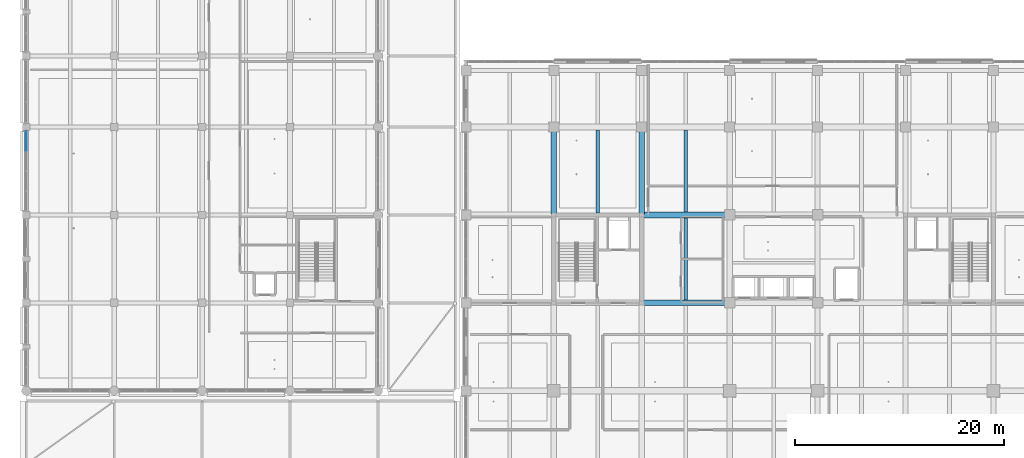
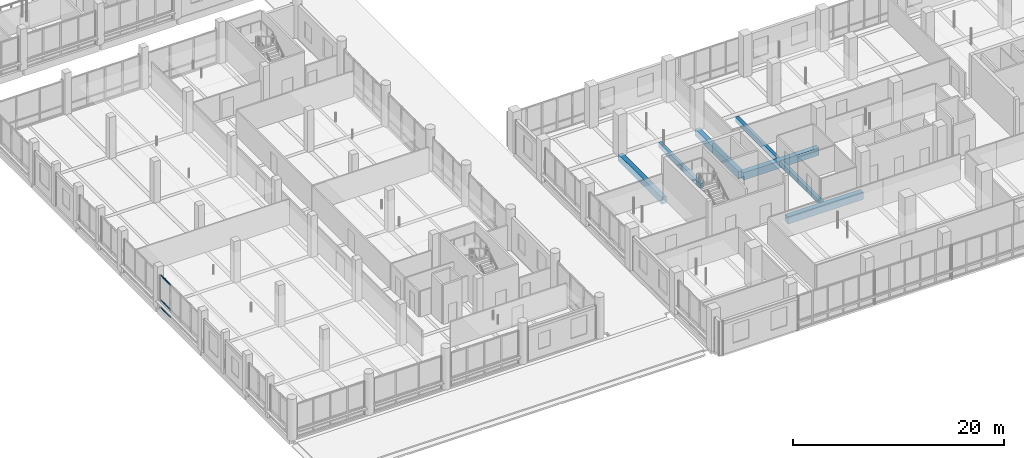
# One storey, part 11 of 128: 7 beams, 3 members, 1 element without a shape of its own.
"""IFC4 building model written with IfcOpenShell, lengths in metres."""

from ifc_helpers import new_model, si_unit, direction, frame, origin, origin_2d, place, context, subcontext, project, spatial, rectangle, extrude, material, layer, layer_set, material_profile, profile_set, type_object, element, aggregate, save


model = new_model("IFC4")

# Units and contexts
model_context = context("Model", 3, precision=1e-05, world=origin(), true_north=direction((0.0, 1.0)))
body_context = subcontext(model_context, "Body", "Model", "MODEL_VIEW")
ifc_project = project(units=[si_unit("LENGTHUNIT", "METRE"), si_unit("AREAUNIT", "SQUARE_METRE"), si_unit("VOLUMEUNIT", "CUBIC_METRE"), si_unit("PLANEANGLEUNIT", "RADIAN"), si_unit("MASSUNIT", "GRAM", prefix="KILO")], contexts=[model_context])

# Site, building, storey
site_placement = place(None, origin())
site = spatial("IfcSite", under=ifc_project, at=site_placement, CompositionType="ELEMENT")
building_placement = place(site_placement, origin())
building = spatial("IfcBuilding", under=site, at=building_placement, Name="Telukmera Botanical Conservatory", CompositionType="ELEMENT")
storey_placement = place(building_placement, frame((0.0, 0.0, 5.39990234375)))
storey = spatial("IfcBuildingStorey", under=building, at=storey_placement, Name="L01", CompositionType="ELEMENT", Elevation=5.39990234375)

# Beams
ifc_material_1 = material(Name="Concrete C40/50", Category="concrete")
ifc_material_profile_1 = material_profile(ifc_material_1, rectangle(XDim=0.35009765625, YDim=0.550048828125, at=origin_2d()), Name="RC 350x550")
ifc_profile_set_1 = profile_set([ifc_material_profile_1], Name="Concrete C40/50")
beam_type_1 = type_object("IfcBeamType", Name="Beam_B21", PredefinedType="JOIST", material=ifc_profile_set_1)
beam_1_placement = place(storey_placement, frame((63.0, 34.60009765625, -0.27490234375), z_axis=(0.0, 1.0, 0.0), x_axis=(-1.0, 0.0, 0.0)))
element("IfcBeam", 1, at=beam_1_placement, inside=storey, type_object=beam_type_1, Name="Tower Secondary Floor Joist L01", PredefinedType="JOIST", context=body_context, shape_type="SweptSolid", body=[
    extrude(rectangle(XDim=0.35009765625, YDim=0.550048828125, at=origin_2d()), origin(), (0.0, 0.0, 1.0), 7.9248046875),
])
beam_2_placement = place(storey_placement, frame((71.39990234375, 26.27490234375, -0.27490234375), z_axis=(0.0, 1.0, 0.0), x_axis=(-1.0, 0.0, 0.0)))
element("IfcBeam", 2, at=beam_2_placement, inside=storey, type_object=beam_type_1, Name="Tower Secondary Floor Joist L01", PredefinedType="JOIST", context=body_context, shape_type="SweptSolid", body=[
    extrude(rectangle(XDim=0.35009765625, YDim=0.550048828125, at=origin_2d()), origin(), (0.0, 0.0, 1.0), 7.85009765625),
])
beam_3_placement = place(storey_placement, frame((71.39990234375, 34.675048828125, -0.27490234375), z_axis=(0.0, 1.0, 0.0), x_axis=(-1.0, 0.0, 0.0)))
element("IfcBeam", 3, at=beam_3_placement, inside=storey, type_object=beam_type_1, Name="Tower Secondary Floor Joist L01", PredefinedType="JOIST", context=body_context, shape_type="SweptSolid", body=[
    extrude(rectangle(XDim=0.35009765625, YDim=0.550048828125, at=origin_2d()), origin(), (0.0, 0.0, 1.0), 7.849853515625),
])
ifc_material_profile_2 = material_profile(ifc_material_1, rectangle(XDim=0.550048828125, YDim=0.85009765625, at=origin_2d()), Name="RC 550x850")
ifc_profile_set_2 = profile_set([ifc_material_profile_2], Name="Concrete C40/50")
beam_type_2 = type_object("IfcBeamType", Name="Beam_B4", PredefinedType="BEAM", material=ifc_profile_set_2)
for number, where, z_axis, x_axis, name in (
    (4, (67.280029296875, 26.0, -0.4248046875), (1.0, 0.0, 0.0), (0.0, 1.0, 0.0), "Tower Grid Beam L01"),
    (5, (67.280029296875, 34.39990234375, -0.4248046875), (1.0, 0.0, 0.0), (0.0, 1.0, 0.0), "Tower Grid Beam L01"),
):
    element("IfcBeam", number, at=place(storey_placement, frame(where, z_axis=z_axis, x_axis=x_axis)), inside=storey, type_object=beam_type_2, Name=name, PredefinedType="BEAM", context=body_context, shape_type="SweptSolid", body=[
        extrude(rectangle(XDim=0.550048828125, YDim=0.85009765625, at=origin_2d()), origin(), (0.0, 0.0, 1.0), 8.239990234375),
    ])
ifc_material_profile_3 = material_profile(ifc_material_1, rectangle(XDim=0.5, YDim=0.800048828125, at=origin_2d()), Name="RC 500x800")
ifc_profile_set_3 = profile_set([ifc_material_profile_3], Name="Concrete C40/50")
beam_type_3 = type_object("IfcBeamType", Name="Beam_B5", PredefinedType="BEAM", material=ifc_profile_set_3)
for number, where, z_axis, x_axis, name in (
    (6, (58.800048828125, 34.47998046875, -0.39990234375), (0.0, 1.0, 0.0), (-1.0, 0.0, 0.0), "Tower Transverse Beam L01"),
    (7, (67.199951171875, 34.47998046875, -0.39990234375), (0.0, 1.0, 0.0), (-1.0, 0.0, 0.0), "Tower Transverse Beam L01"),
):
    element("IfcBeam", number, at=place(storey_placement, frame(where, z_axis=z_axis, x_axis=x_axis)), inside=storey, type_object=beam_type_3, Name=name, PredefinedType="BEAM", context=body_context, shape_type="SweptSolid", body=[
        extrude(rectangle(XDim=0.5, YDim=0.800048828125, at=origin_2d()), origin(), (0.0, 0.0, 1.0), 8.239990234375),
    ])

# Curtain wall, members
ifc_material_2 = material(Name="Anodised aluminium 6063-T6", Category="aluminium")
ifc_layer = layer(ifc_material_2, 0.179931640625)
ifc_layer_set = layer_set([ifc_layer], Name="Anodised aluminium 6063-T6")
curtain_wall_type = type_object("IfcCurtainWallType", Name="Visitor Gallery First Floor Curtain Wall 1800 Mod", PredefinedType="USERDEFINED", material=ifc_layer_set)
curtain_wall_placement = place(storey_placement, origin())
curtain_wall = element("IfcCurtainWall", 8, at=curtain_wall_placement, inside=storey, type_object=curtain_wall_type, Name="Unitised Curtain Wall CW08 V3:L01:W3", ObjectType="UNITISED CURTAIN WALL", PredefinedType="USERDEFINED")
ifc_material_profile_4 = material_profile(ifc_material_2, rectangle(XDim=0.06494140625, YDim=0.1298828125, at=origin_2d()), Name="ALU TRAN 65x130")
ifc_profile_set_4 = profile_set([ifc_material_profile_4], Name="Anodised aluminium 6063-T6")
member_type = type_object("IfcMemberType", Name="Curtain Wall Extruded Transom 65x130", PredefinedType="USERDEFINED", material=ifc_profile_set_4)
member_1_placement = place(storey_placement, frame((8.39990234375, 40.556396484375, 0.065185546875), z_axis=(0.0, 1.0, 0.0), x_axis=(-1.0, 0.0, 0.0)))
member_1 = element("IfcMember", 9, at=member_1_placement, type_object=member_type, Name="CW08 transom 4.1", ObjectType="TRANSOM", PredefinedType="USERDEFINED", context=body_context, shape_type="SweptSolid", body=[
    extrude(rectangle(XDim=0.06494140625, YDim=0.1298828125, at=origin_2d()), origin(), (0.0, 0.0, 1.0), 1.82666015625),
])
member_2_placement = place(storey_placement, frame((8.39990234375, 40.556396484375, 0.9501953125), z_axis=(0.0, 1.0, 0.0), x_axis=(-1.0, 0.0, 0.0)))
member_2 = element("IfcMember", 10, at=member_2_placement, type_object=member_type, Name="CW08 transom 4.2", ObjectType="TRANSOM", PredefinedType="USERDEFINED", context=body_context, shape_type="SweptSolid", body=[
    extrude(rectangle(XDim=0.06494140625, YDim=0.1298828125, at=origin_2d()), origin(), (0.0, 0.0, 1.0), 1.82666015625),
])
member_3_placement = place(storey_placement, frame((8.39990234375, 40.556396484375, 3.78515625), z_axis=(0.0, 1.0, 0.0), x_axis=(-1.0, 0.0, 0.0)))
member_3 = element("IfcMember", 11, at=member_3_placement, type_object=member_type, Name="CW08 transom 4.3", ObjectType="TRANSOM", PredefinedType="USERDEFINED", context=body_context, shape_type="SweptSolid", body=[
    extrude(rectangle(XDim=0.06494140625, YDim=0.1298828125, at=origin_2d()), origin(), (0.0, 0.0, 1.0), 1.82666015625),
])
aggregate(curtain_wall, [member_1, member_2, member_3])

save(model, "model.ifc")
